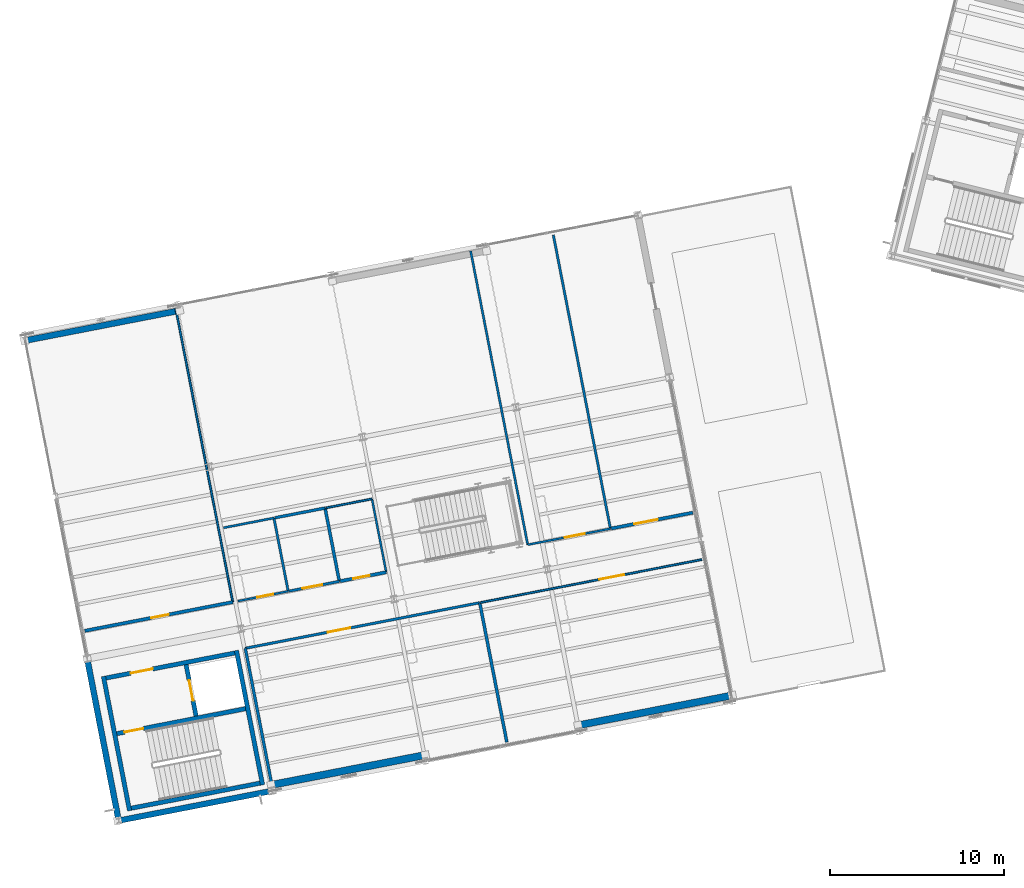
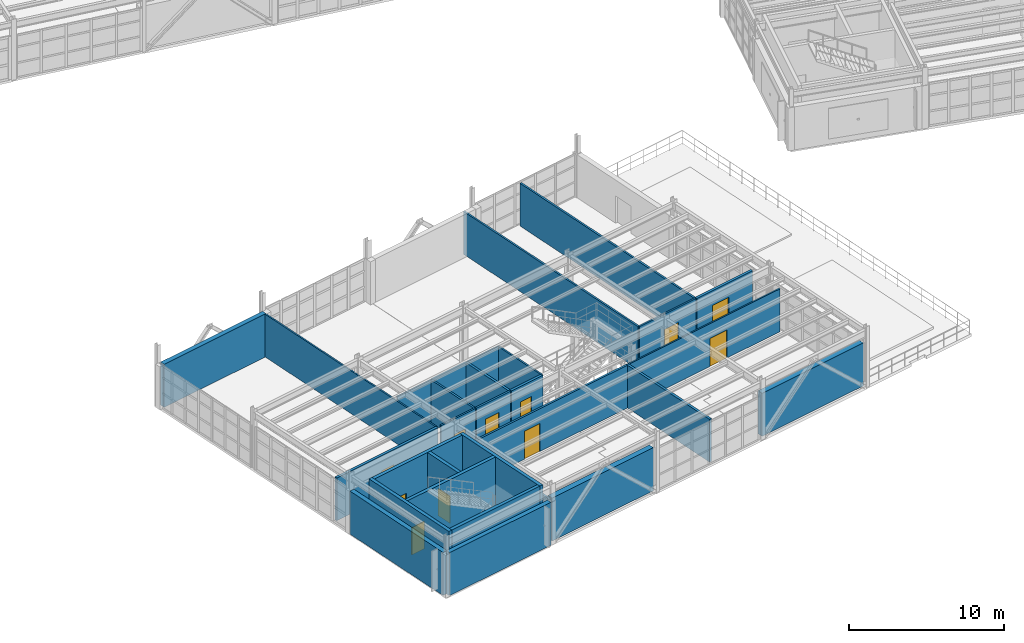
# One storey, part 90 of 109: 30 walls, 11 doors, 11 openings.
"""IFC4 building model written with IfcOpenShell, lengths in metres."""

from ifc_helpers import new_model, si_unit, direction, frame, frame_2d, origin, origin_with_axes, place, context, subcontext, project, spatial, rectangle, extrude, material, layer, layer_set, type_object, element, fill, save


model = new_model("IFC4")

# Units and contexts
model_context = context("Model", 3, precision=1e-05, world=origin(), true_north=direction((0.0, 1.0)))
body_context = subcontext(model_context, "Body", "Model", "MODEL_VIEW")
ifc_project = project(units=[si_unit("LENGTHUNIT", "METRE"), si_unit("AREAUNIT", "SQUARE_METRE"), si_unit("VOLUMEUNIT", "CUBIC_METRE"), si_unit("PLANEANGLEUNIT", "RADIAN"), si_unit("MASSUNIT", "GRAM", prefix="KILO")], contexts=[model_context])

# Site, building, storey
site_placement = place(None, origin())
site = spatial("IfcSite", under=ifc_project, at=site_placement, CompositionType="ELEMENT")
building_placement = place(site_placement, origin())
building = spatial("IfcBuilding", under=site, at=building_placement, Name="Vireo Bluff Cable Station", CompositionType="ELEMENT")
storey_placement = place(building_placement, frame((0.0, 0.0, 4.800048828125)))
storey = spatial("IfcBuildingStorey", under=building, at=storey_placement, Name="L01", CompositionType="ELEMENT", Elevation=4.800048828125)

# Walls
ifc_material_1 = material(Name="Precast concrete f'c 45 MPa", Category="concrete")
ifc_layer_1 = layer(ifc_material_1, 0.330078125, Name="Precast concrete f'c 45 MPa")
ifc_layer_set_1 = layer_set([ifc_layer_1], Name="Precast concrete f'c 45 MPa")
wall_type_1 = type_object("IfcWallType", Name="EW-PRECAST-330", PredefinedType="SOLIDWALL", material=ifc_layer_set_1)
wall_1_placement = place(storey_placement, frame((18.151123046875, 7.181640625, 0.0), z_axis=(0.0, 0.0, 1.0), x_axis=(-0.981625045934, -0.190819991601, 0.0)))
element("IfcWall", 1, at=wall_1_placement, inside=storey, type_object=wall_type_1, Name="V5 L01 south exterior wall 100", PredefinedType="SOLIDWALL", context=body_context, shape_type="SweptSolid", body=[
    extrude(rectangle(XDim=8.68359375, YDim=0.330078125, at=frame_2d((4.341796875, 0.0))), origin(), (0.0, 0.0, 1.0), 3.39990234375),
])
ifc_layer_2 = layer(ifc_material_1, 0.340087890625, Name="Precast concrete f'c 45 MPa")
ifc_layer_set_2 = layer_set([ifc_layer_2], Name="Precast concrete f'c 45 MPa")
wall_type_2 = type_object("IfcWallType", Name="EW-PRECAST-340", PredefinedType="SOLIDWALL", material=ifc_layer_set_2)
wall_2_placement = place(storey_placement, frame((9.47509765625, 5.627685546875, 0.0), z_axis=(0.0, 0.0, 1.0), x_axis=(-0.190814183384, 0.981626174987, 0.0)))
element("IfcWall", 2, at=wall_2_placement, inside=storey, type_object=wall_type_2, Name="V5 L01 west exterior wall 101", PredefinedType="SOLIDWALL", context=body_context, shape_type="SweptSolid", body=[
    extrude(rectangle(XDim=9.187744140625, YDim=0.340087890625, at=frame_2d((4.59375, 0.0))), origin(), (0.0, 0.0, 1.0), 3.39990234375),
])
ifc_layer_3 = layer(ifc_material_1, 0.35009765625, Name="Precast concrete f'c 45 MPa")
ifc_layer_set_3 = layer_set([ifc_layer_3], Name="Precast concrete f'c 45 MPa")
wall_type_3 = type_object("IfcWallType", Name="EW-PRECAST-350", PredefinedType="SOLIDWALL", material=ifc_layer_set_3)
wall_3_placement = place(storey_placement, frame((4.25341796875, 33.167236328125, 0.0), z_axis=(0.0, 0.0, 1.0), x_axis=(0.981627744316, 0.190806109934, 0.0)))
element("IfcWall", 3, at=wall_3_placement, inside=storey, type_object=wall_type_3, Name="V5 L01 north exterior wall 102", PredefinedType="SOLIDWALL", context=body_context, shape_type="SweptSolid", body=[
    extrude(rectangle(XDim=8.740478515625, YDim=0.35009765625, at=frame_2d((4.3701171875, 0.0))), origin(), (0.0, 0.0, 1.0), 3.39990234375),
])
ifc_layer_4 = layer(ifc_material_1, 0.409912109375, Name="Precast concrete f'c 45 MPa")
ifc_layer_set_4 = layer_set([ifc_layer_4], Name="Precast concrete f'c 45 MPa")
wall_type_4 = type_object("IfcWallType", Name="EW-PRECAST-410", PredefinedType="SOLIDWALL", material=ifc_layer_set_4)
wall_4_placement = place(storey_placement, frame((44.64697265625, 12.67822265625, 0.0), z_axis=(0.0, 0.0, 1.0), x_axis=(-0.981627093264, -0.19080945933, 0.0)))
element("IfcWall", 4, at=wall_4_placement, inside=storey, type_object=wall_type_4, Name="V5 L01 south exterior wall 98", PredefinedType="SOLIDWALL", context=body_context, shape_type="SweptSolid", body=[
    extrude(rectangle(XDim=8.68408203125, YDim=0.409912109375, at=frame_2d((4.342041015625, 0.0))), origin(), (0.0, 0.0, 1.0), 3.39990234375),
])
ifc_layer_5 = layer(ifc_material_1, 0.419921875, Name="Precast concrete f'c 45 MPa")
ifc_layer_set_5 = layer_set([ifc_layer_5], Name="Precast concrete f'c 45 MPa")
wall_type_5 = type_object("IfcWallType", Name="EW-PRECAST-420", PredefinedType="SOLIDWALL", material=ifc_layer_set_5)
wall_5_placement = place(storey_placement, frame((26.976318359375, 9.243408203125, 0.0), z_axis=(0.0, 0.0, 1.0), x_axis=(-0.981626217473, -0.190813964817, 0.0)))
element("IfcWall", 5, at=wall_5_placement, inside=storey, type_object=wall_type_5, Name="V5 L01 south exterior wall 99", PredefinedType="SOLIDWALL", context=body_context, shape_type="SweptSolid", body=[
    extrude(rectangle(XDim=8.682373046875, YDim=0.419921875, at=frame_2d((4.34130859375, 0.0))), origin(), (0.0, 0.0, 1.0), 3.39990234375),
])
ifc_material_2 = material(Name="Fire-Rated Gypsum Board Partition")
ifc_layer_6 = layer(ifc_material_2, 0.110107421875, Name="Fire-Rated Gypsum Board Partition")
ifc_layer_set_6 = layer_set([ifc_layer_6], Name="Fire-Rated Gypsum Board Partition")
wall_type_6 = type_object("IfcWallType", Name="PT-1HR-110", PredefinedType="PARTITIONING", material=ifc_layer_set_6)
wall_6_placement = place(storey_placement, frame((12.78173828125, 34.998046875, 0.0), z_axis=(0.0, 0.0, 1.0), x_axis=(0.190807839233, -0.981627408179, 0.0)))
element("IfcWall", 6, at=wall_6_placement, inside=storey, type_object=wall_type_6, Name="V5 L01 Cafe Servery and Pantry E partition", PredefinedType="PARTITIONING", context=body_context, shape_type="SweptSolid", body=[
    extrude(rectangle(XDim=17.22998046875, YDim=0.110107421875, at=frame_2d((8.614990234375, 0.0))), origin(), (0.0, 0.0, 1.0), 3.3798828125),
])

# Wall, opening, door
wall_7_placement = place(storey_placement, frame((30.3369140625, 18.056640625, 0.0), z_axis=(0.0, 0.0, 1.0), x_axis=(0.981628994067, 0.190799680312, 0.0)))
wall_7 = element("IfcWall", 7, at=wall_7_placement, inside=storey, type_object=wall_type_6, Name="V5 L01 Bluff Cafe N partition", PredefinedType="PARTITIONING", context=body_context, shape_type="SweptSolid", body=[
    extrude(rectangle(XDim=12.97998046875, YDim=0.110107421875, at=frame_2d((6.489990234375, 0.0))), origin(), (0.0, 0.0, 1.0), 3.3798828125),
])
opening_1_placement = place(wall_7_placement, frame((6.96630859375, 0.0, 0.0)))
opening_1 = element("IfcOpeningElement", 8, at=opening_1_placement, cuts=wall_7, Name="Opening D-0114", PredefinedType="OPENING", context=body_context, shape_type="SweptSolid", body=[
    extrude(rectangle(XDim=1.43994140625, YDim=2.219970703125, at=frame_2d((0.719970703125, 1.10986328125))), frame((0.0, 0.06494140625, 0.0), z_axis=(0.0, -1.0, 0.0), x_axis=(1.0, 0.0, 0.0)), (0.0, 0.0, 1.0), 0.130126953125),
])
ifc_material_3 = material(Name="Anodized Aluminium 6063-T6", Category="aluminium")
door_type_1 = type_object("IfcDoorType", Name="IDOOR60-1440X2220", OperationType="NOTDEFINED", PredefinedType="DOOR", material=ifc_material_3)
door_1_placement = place(opening_1_placement, origin_with_axes())
door_1 = element("IfcDoor", 9, at=door_1_placement, inside=storey, type_object=door_type_1, Name="V5 L01 Bluff Cafe door D-0114", OperationType="SINGLE_SWING_LEFT", OverallHeight=2.219970703125, OverallWidth=1.43994140625, PredefinedType="DOOR", context=body_context, shape_type="SweptSolid", body=[
    extrude(rectangle(XDim=1.43994140625, YDim=2.219970703125, at=frame_2d((0.719970703125, 1.10986328125))), frame((0.0, 0.02490234375, 0.0), z_axis=(0.0, -1.0, 0.0), x_axis=(1.0, 0.0, 0.0)), (0.0, 0.0, 1.0), 0.050048828125),
])
fill(opening_1, door_1)

# Wall
wall_8_placement = place(storey_placement, frame((21.43310546875, 23.5078125, 0.0), z_axis=(0.0, 0.0, 1.0), x_axis=(0.981630445883, 0.190792210834, 0.0)))
element("IfcWall", 10, at=wall_8_placement, inside=storey, type_object=wall_type_6, Name="V5 L01 Accessible WC L01 N partition", PredefinedType="PARTITIONING", context=body_context, shape_type="SweptSolid", body=[
    extrude(rectangle(XDim=2.699951171875, YDim=0.110107421875, at=frame_2d((1.35009765625, 0.0))), origin(), (0.0, 0.0, 1.0), 3.3798828125),
])

# Wall, opening, door
ifc_layer_7 = layer(ifc_material_2, 0.1201171875, Name="Fire-Rated Gypsum Board Partition")
ifc_layer_set_7 = layer_set([ifc_layer_7], Name="Fire-Rated Gypsum Board Partition")
wall_type_7 = type_object("IfcWallType", Name="PT-1HR-120", PredefinedType="PARTITIONING", material=ifc_layer_set_7)
wall_9_placement = place(storey_placement, frame((37.8125, 22.31103515625, 0.0), z_axis=(0.0, 0.0, 1.0), x_axis=(-0.981632938172, -0.190779387502, 0.0)))
wall_9 = element("IfcWall", 11, at=wall_9_placement, inside=storey, type_object=wall_type_7, Name="V5 L01 Mountain-Sports Exhibition Hall S partition", PredefinedType="PARTITIONING", context=body_context, shape_type="SweptSolid", body=[
    extrude(rectangle(XDim=4.85009765625, YDim=0.1201171875, at=frame_2d((2.425048828125, 0.0))), origin(), (0.0, 0.0, 1.0), 3.3798828125),
])
opening_2_placement = place(wall_9_placement, frame((1.502685546875, 0.0, 0.0)))
opening_2 = element("IfcOpeningElement", 12, at=opening_2_placement, cuts=wall_9, Name="Opening D-0111", PredefinedType="OPENING", context=body_context, shape_type="SweptSolid", body=[
    extrude(rectangle(XDim=1.179931640625, YDim=2.179931640625, at=frame_2d((0.58984375, 1.08984375))), frame((0.0, 0.070068359375, 0.0), z_axis=(0.0, -1.0, 0.0), x_axis=(1.0, 0.0, 0.0)), (0.0, 0.0, 1.0), 0.14013671875),
])
door_type_2 = type_object("IfcDoorType", Name="IDOOR60-1180X2180", OperationType="NOTDEFINED", PredefinedType="DOOR", material=ifc_material_3)
door_2_placement = place(opening_2_placement, origin_with_axes())
door_2 = element("IfcDoor", 13, at=door_2_placement, inside=storey, type_object=door_type_2, Name="V5 L01 Mountain-Sports Exhibition Hall door D-0111", OperationType="SINGLE_SWING_RIGHT", OverallHeight=2.179931640625, OverallWidth=1.179931640625, PredefinedType="DOOR", context=body_context, shape_type="SweptSolid", body=[
    extrude(rectangle(XDim=1.179931640625, YDim=2.179931640625, at=frame_2d((0.58984375, 1.08984375))), frame((0.0, 0.02490234375, 0.0), z_axis=(0.0, -1.0, 0.0), x_axis=(1.0, 0.0, 0.0)), (0.0, 0.0, 1.0), 0.050048828125),
])
fill(opening_2, door_2)

wall_10_placement = place(storey_placement, frame((19.259765625, 18.704833984375, 0.0), z_axis=(0.0, 0.0, 1.0), x_axis=(-0.981620127317, -0.190845292437, 0.0)))
wall_10 = element("IfcWall", 14, at=wall_10_placement, inside=storey, type_object=wall_type_7, Name="V5 L01 Male WC L01 S partition", PredefinedType="PARTITIONING", context=body_context, shape_type="SweptSolid", body=[
    extrude(rectangle(XDim=2.949951171875, YDim=0.1201171875, at=frame_2d((1.47509765625, 0.0))), origin(), (0.0, 0.0, 1.0), 3.3798828125),
])
opening_3_placement = place(wall_10_placement, frame((0.867919921875, 0.0, 0.0)))
opening_3 = element("IfcOpeningElement", 15, at=opening_3_placement, cuts=wall_10, Name="Opening D-0115", PredefinedType="OPENING", context=body_context, shape_type="SweptSolid", body=[
    extrude(rectangle(XDim=0.949951171875, YDim=2.14990234375, at=frame_2d((0.47509765625, 1.074951171875))), frame((0.0, 0.070068359375, 0.0), z_axis=(0.0, -1.0, 0.0), x_axis=(1.0, 0.0, 0.0)), (0.0, 0.0, 1.0), 0.14013671875),
])
door_type_3 = type_object("IfcDoorType", Name="IDOOR60-950X2150", OperationType="NOTDEFINED", PredefinedType="DOOR", material=ifc_material_3)
door_3_placement = place(opening_3_placement, origin_with_axes())
door_3 = element("IfcDoor", 16, at=door_3_placement, inside=storey, type_object=door_type_3, Name="V5 L01 Male WC L01 door D-0115", OperationType="SINGLE_SWING_RIGHT", OverallHeight=2.14990234375, OverallWidth=0.949951171875, PredefinedType="DOOR", context=body_context, shape_type="SweptSolid", body=[
    extrude(rectangle(XDim=0.949951171875, YDim=2.14990234375, at=frame_2d((0.47509765625, 1.074951171875))), frame((0.0, 0.02490234375, 0.0), z_axis=(0.0, -1.0, 0.0), x_axis=(1.0, 0.0, 0.0)), (0.0, 0.0, 1.0), 0.050048828125),
])
fill(opening_3, door_3)

# Walls
wall_11_placement = place(storey_placement, frame((24.08349609375, 24.02294921875, 0.0), z_axis=(0.0, 0.0, 1.0), x_axis=(0.190828627284, -0.981623367188, 0.0)))
element("IfcWall", 17, at=wall_11_placement, inside=storey, type_object=wall_type_7, Name="V5 L01 Accessible WC L01 E partition", PredefinedType="PARTITIONING", context=body_context, shape_type="SweptSolid", body=[
    extrude(rectangle(XDim=4.300048828125, YDim=0.1201171875, at=frame_2d((2.14990234375, 0.0))), origin(), (0.0, 0.0, 1.0), 3.3798828125),
])
ifc_layer_8 = layer(ifc_material_2, 0.1298828125, Name="Fire-Rated Gypsum Board Partition")
ifc_layer_set_8 = layer_set([ifc_layer_8], Name="Fire-Rated Gypsum Board Partition")
wall_type_8 = type_object("IfcWallType", Name="PT-1HR-130", PredefinedType="PARTITIONING", material=ifc_layer_set_8)
wall_12_placement = place(storey_placement, frame((33.051513671875, 21.3857421875, 0.0), z_axis=(0.0, 0.0, 1.0), x_axis=(-0.190807839233, 0.981627408179, 0.0)))
element("IfcWall", 18, at=wall_12_placement, inside=storey, type_object=wall_type_8, Name="V5 L01 Mountain-Sports Exhibition Hall W partition", PredefinedType="PARTITIONING", context=body_context, shape_type="SweptSolid", body=[
    extrude(rectangle(XDim=17.22998046875, YDim=0.1298828125, at=frame_2d((8.614990234375, 0.0))), origin(), (0.0, 0.0, 1.0), 3.3798828125),
])
wall_13_placement = place(storey_placement, frame((15.54345703125, 22.363037109375, 0.0), z_axis=(0.0, 0.0, 1.0), x_axis=(0.981635628441, 0.19076554452, 0.0)))
element("IfcWall", 19, at=wall_13_placement, inside=storey, type_object=wall_type_8, Name="V5 L01 Male WC L01 N partition", PredefinedType="PARTITIONING", context=body_context, shape_type="SweptSolid", body=[
    extrude(rectangle(XDim=2.949951171875, YDim=0.1298828125, at=frame_2d((1.47509765625, 0.0))), origin(), (0.0, 0.0, 1.0), 3.3798828125),
])
ifc_layer_9 = layer(ifc_material_2, 0.139892578125, Name="Fire-Rated Gypsum Board Partition")
ifc_layer_set_9 = layer_set([ifc_layer_9], Name="Fire-Rated Gypsum Board Partition")
wall_type_9 = type_object("IfcWallType", Name="PT-1HR-140", PredefinedType="PARTITIONING", material=ifc_layer_set_9)
wall_14_placement = place(storey_placement, frame((34.52490234375, 39.224609375, 0.0), z_axis=(0.0, 0.0, 1.0), x_axis=(0.190805185272, -0.981627924049, 0.0)))
element("IfcWall", 20, at=wall_14_placement, inside=storey, type_object=wall_type_9, Name="V5 L01 Mountain-Sports Exhibition Hall E partition", PredefinedType="PARTITIONING", context=body_context, shape_type="SweptSolid", body=[
    extrude(rectangle(XDim=17.230224609375, YDim=0.139892578125, at=frame_2d((8.615234375, 0.0))), origin(), (0.0, 0.0, 1.0), 3.3798828125),
])
wall_15_placement = place(storey_placement, frame((18.439208984375, 22.92578125, 0.0), z_axis=(0.0, 0.0, 1.0), x_axis=(0.190828627284, -0.981623367188, 0.0)))
element("IfcWall", 21, at=wall_15_placement, inside=storey, type_object=wall_type_9, Name="V5 L01 Male WC L01 E partition", PredefinedType="PARTITIONING", context=body_context, shape_type="SweptSolid", body=[
    extrude(rectangle(XDim=4.300048828125, YDim=0.139892578125, at=frame_2d((2.14990234375, 0.0))), origin(), (0.0, 0.0, 1.0), 3.3798828125),
])

# Wall, opening, door
ifc_layer_10 = layer(ifc_material_2, 0.14990234375, Name="Fire-Rated Gypsum Board Partition")
ifc_layer_set_10 = layer_set([ifc_layer_10], Name="Fire-Rated Gypsum Board Partition")
wall_type_10 = type_object("IfcWallType", Name="PT-1HR-150", PredefinedType="PARTITIONING", material=ifc_layer_set_10)
wall_16_placement = place(storey_placement, frame((16.79052734375, 15.42333984375, 0.0), z_axis=(0.0, 0.0, 1.0), x_axis=(0.981624906569, 0.190820708527, 0.0)))
wall_16 = element("IfcWall", 22, at=wall_16_placement, inside=storey, type_object=wall_type_10, Name="V5 L01 Visitor Orientation Hall N partition", PredefinedType="PARTITIONING", context=body_context, shape_type="SweptSolid", body=[
    extrude(rectangle(XDim=13.75, YDim=0.14990234375, at=frame_2d((6.875, 0.0))), origin(), (0.0, 0.0, 1.0), 3.3798828125),
])
opening_4_placement = place(wall_16_placement, frame((4.831298828125, 0.0, 0.0)))
opening_4 = element("IfcOpeningElement", 23, at=opening_4_placement, cuts=wall_16, Name="Opening D-0112", PredefinedType="OPENING", context=body_context, shape_type="SweptSolid", body=[
    extrude(rectangle(XDim=1.320068359375, YDim=2.219970703125, at=frame_2d((0.66015625, 1.10986328125))), frame((0.0, 0.0849609375, 0.0), z_axis=(0.0, -1.0, 0.0), x_axis=(1.0, 0.0, 0.0)), (0.0, 0.0, 1.0), 0.169921875),
])
door_type_4 = type_object("IfcDoorType", Name="IDOOR60-1320X2220", OperationType="NOTDEFINED", PredefinedType="DOOR", material=ifc_material_3)
door_4_placement = place(opening_4_placement, origin_with_axes())
door_4 = element("IfcDoor", 24, at=door_4_placement, inside=storey, type_object=door_type_4, Name="V5 L01 Visitor Orientation Hall door D-0112", OperationType="SINGLE_SWING_LEFT", OverallHeight=2.219970703125, OverallWidth=1.320068359375, PredefinedType="DOOR", context=body_context, shape_type="SweptSolid", body=[
    extrude(rectangle(XDim=1.320068359375, YDim=2.219970703125, at=frame_2d((0.66015625, 1.10986328125))), frame((0.0, 0.02490234375, 0.0), z_axis=(0.0, -1.0, 0.0), x_axis=(1.0, 0.0, 0.0)), (0.0, 0.0, 1.0), 0.050048828125),
])
fill(opening_4, door_4)

wall_17_placement = place(storey_placement, frame((22.20458984375, 19.27734375, 0.0), z_axis=(0.0, 0.0, 1.0), x_axis=(-0.981620127317, -0.190845292437, 0.0)))
wall_17 = element("IfcWall", 25, at=wall_17_placement, inside=storey, type_object=wall_type_10, Name="V5 L01 Female WC L01 S partition", PredefinedType="PARTITIONING", context=body_context, shape_type="SweptSolid", body=[
    extrude(rectangle(XDim=2.949951171875, YDim=0.14990234375, at=frame_2d((1.47509765625, 0.0))), origin(), (0.0, 0.0, 1.0), 3.3798828125),
])
opening_5_placement = place(wall_17_placement, frame((1.008056640625, 0.0, 0.0)))
opening_5 = element("IfcOpeningElement", 26, at=opening_5_placement, cuts=wall_17, Name="Opening D-0116", PredefinedType="OPENING", context=body_context, shape_type="SweptSolid", body=[
    extrude(rectangle(XDim=1.14990234375, YDim=2.14990234375, at=frame_2d((0.574951171875, 1.074951171875))), frame((0.0, 0.0849609375, 0.0), z_axis=(0.0, -1.0, 0.0), x_axis=(1.0, 0.0, 0.0)), (0.0, 0.0, 1.0), 0.169921875),
])
door_type_5 = type_object("IfcDoorType", Name="IDOOR60-1150X2150", OperationType="NOTDEFINED", PredefinedType="DOOR", material=ifc_material_3)
door_5_placement = place(opening_5_placement, origin_with_axes())
door_5 = element("IfcDoor", 27, at=door_5_placement, inside=storey, type_object=door_type_5, Name="V5 L01 Female WC L01 door D-0116", OperationType="SINGLE_SWING_LEFT", OverallHeight=2.14990234375, OverallWidth=1.14990234375, PredefinedType="DOOR", context=body_context, shape_type="SweptSolid", body=[
    extrude(rectangle(XDim=1.14990234375, YDim=2.14990234375, at=frame_2d((0.574951171875, 1.074951171875))), frame((0.0, 0.02490234375, 0.0), z_axis=(0.0, -1.0, 0.0), x_axis=(1.0, 0.0, 0.0)), (0.0, 0.0, 1.0), 0.050048828125),
])
fill(opening_5, door_5)

# Walls
ifc_layer_11 = layer(ifc_material_2, 0.1650390625, Name="Fire-Rated Gypsum Board Partition")
ifc_layer_set_11 = layer_set([ifc_layer_11], Name="Fire-Rated Gypsum Board Partition")
wall_type_11 = type_object("IfcWallType", Name="PT-1HR-165", PredefinedType="PARTITIONING", material=ifc_layer_set_11)
wall_18_placement = place(storey_placement, frame((18.351318359375, 7.393798828125, 0.0), z_axis=(0.0, 0.0, 1.0), x_axis=(-0.190809743504, 0.981627038026, 0.0)))
element("IfcWall", 28, at=wall_18_placement, inside=storey, type_object=wall_type_11, Name="V5 L01 Visitor Orientation Hall W partition", PredefinedType="PARTITIONING", context=body_context, shape_type="SweptSolid", body=[
    extrude(rectangle(XDim=8.179931640625, YDim=0.1650390625, at=frame_2d((4.08984375, 0.0))), origin(), (0.0, 0.0, 1.0), 3.3798828125),
])
wall_19_placement = place(storey_placement, frame((18.48828125, 22.935302734375, 0.0), z_axis=(0.0, 0.0, 1.0), x_axis=(0.981620127317, 0.190845292437, 0.0)))
element("IfcWall", 29, at=wall_19_placement, inside=storey, type_object=wall_type_11, Name="V5 L01 Female WC L01 N partition", PredefinedType="PARTITIONING", context=body_context, shape_type="SweptSolid", body=[
    extrude(rectangle(XDim=2.949951171875, YDim=0.1650390625, at=frame_2d((1.47509765625, 0.0))), origin(), (0.0, 0.0, 1.0), 3.3798828125),
])
ifc_layer_12 = layer(ifc_material_2, 0.175048828125, Name="Fire-Rated Gypsum Board Partition")
ifc_layer_set_12 = layer_set([ifc_layer_12], Name="Fire-Rated Gypsum Board Partition")
wall_type_12 = type_object("IfcWallType", Name="PT-1HR-175", PredefinedType="PARTITIONING", material=ifc_layer_set_12)
wall_20_placement = place(storey_placement, frame((30.287841796875, 18.047119140625, 0.0), z_axis=(0.0, 0.0, 1.0), x_axis=(0.190804153264, -0.981628124647, 0.0)))
element("IfcWall", 30, at=wall_20_placement, inside=storey, type_object=wall_type_12, Name="V5 L01 Visitor Orientation Hall E partition", PredefinedType="PARTITIONING", context=body_context, shape_type="SweptSolid", body=[
    extrude(rectangle(XDim=8.18017578125, YDim=0.175048828125, at=frame_2d((4.090087890625, 0.0))), origin(), (0.0, 0.0, 1.0), 3.3798828125),
])
wall_21_placement = place(storey_placement, frame((21.384033203125, 23.498291015625, 0.0), z_axis=(0.0, 0.0, 1.0), x_axis=(0.190828627284, -0.981623367188, 0.0)))
element("IfcWall", 31, at=wall_21_placement, inside=storey, type_object=wall_type_12, Name="V5 L01 Female WC L01 E partition", PredefinedType="PARTITIONING", context=body_context, shape_type="SweptSolid", body=[
    extrude(rectangle(XDim=4.300048828125, YDim=0.175048828125, at=frame_2d((2.14990234375, 0.0))), origin(), (0.0, 0.0, 1.0), 3.3798828125),
])

# Wall, opening, door
ifc_layer_13 = layer(ifc_material_2, 0.18994140625, Name="Fire-Rated Gypsum Board Partition")
ifc_layer_set_13 = layer_set([ifc_layer_13], Name="Fire-Rated Gypsum Board Partition")
wall_type_13 = type_object("IfcWallType", Name="PT-1HR-190", PredefinedType="PARTITIONING", material=ifc_layer_set_13)
wall_22_placement = place(storey_placement, frame((16.0693359375, 18.084716796875, 0.0), z_axis=(0.0, 0.0, 1.0), x_axis=(-0.981626513262, -0.190812443151, 0.0)))
wall_22 = element("IfcWall", 32, at=wall_22_placement, inside=storey, type_object=wall_type_13, Name="V5 L01 Cafe Servery and Pantry S partition", PredefinedType="PARTITIONING", context=body_context, shape_type="SweptSolid", body=[
    extrude(rectangle(XDim=8.679931640625, YDim=0.18994140625, at=frame_2d((4.33984375, 0.0))), origin(), (0.0, 0.0, 1.0), 3.3798828125),
])
opening_6_placement = place(wall_22_placement, frame((3.764892578125, 0.0, 0.0)))
opening_6 = element("IfcOpeningElement", 33, at=opening_6_placement, cuts=wall_22, Name="Opening D-0110", PredefinedType="OPENING", context=body_context, shape_type="SweptSolid", body=[
    extrude(rectangle(XDim=1.02001953125, YDim=2.179931640625, at=frame_2d((0.510009765625, 1.08984375))), frame((0.0, 0.10498046875, 0.0), z_axis=(0.0, -1.0, 0.0), x_axis=(1.0, 0.0, 0.0)), (0.0, 0.0, 1.0), 0.2099609375),
])
door_type_6 = type_object("IfcDoorType", Name="IDOOR60-1020X2180", OperationType="NOTDEFINED", PredefinedType="DOOR", material=ifc_material_3)
door_6_placement = place(opening_6_placement, origin_with_axes())
door_6 = element("IfcDoor", 34, at=door_6_placement, inside=storey, type_object=door_type_6, Name="V5 L01 Cafe Servery and Pantry door D-0110", OperationType="SINGLE_SWING_LEFT", OverallHeight=2.179931640625, OverallWidth=1.02001953125, PredefinedType="DOOR", context=body_context, shape_type="SweptSolid", body=[
    extrude(rectangle(XDim=1.02001953125, YDim=2.179931640625, at=frame_2d((0.510009765625, 1.08984375))), frame((0.0, 0.02490234375, 0.0), z_axis=(0.0, -1.0, 0.0), x_axis=(1.0, 0.0, 0.0)), (0.0, 0.0, 1.0), 0.050048828125),
])
fill(opening_6, door_6)

wall_23_placement = place(storey_placement, frame((42.5537109375, 23.232666015625, 0.0), z_axis=(0.0, 0.0, 1.0), x_axis=(-0.98163478978, -0.190769860025, 0.0)))
wall_23 = element("IfcWall", 35, at=wall_23_placement, inside=storey, type_object=wall_type_13, Name="V5 L01 Retail Bookshop S partition", PredefinedType="PARTITIONING", context=body_context, shape_type="SweptSolid", body=[
    extrude(rectangle(XDim=4.780029296875, YDim=0.18994140625, at=frame_2d((2.39013671875, 0.0))), origin(), (0.0, 0.0, 1.0), 3.3798828125),
])
opening_7_placement = place(wall_23_placement, frame((2.04931640625, 0.0, 0.0)))
opening_7 = element("IfcOpeningElement", 36, at=opening_7_placement, cuts=wall_23, Name="Opening D-0113", PredefinedType="OPENING", context=body_context, shape_type="SweptSolid", body=[
    extrude(rectangle(XDim=1.3798828125, YDim=2.219970703125, at=frame_2d((0.68994140625, 1.10986328125))), frame((0.0, 0.10498046875, 0.0), z_axis=(0.0, -1.0, 0.0), x_axis=(1.0, 0.0, 0.0)), (0.0, 0.0, 1.0), 0.2099609375),
])
door_type_7 = type_object("IfcDoorType", Name="IDOOR60-1380X2220", OperationType="NOTDEFINED", PredefinedType="DOOR", material=ifc_material_3)
door_7_placement = place(opening_7_placement, origin_with_axes())
door_7 = element("IfcDoor", 37, at=door_7_placement, inside=storey, type_object=door_type_7, Name="V5 L01 Retail Bookshop door D-0113", OperationType="SINGLE_SWING_RIGHT", OverallHeight=2.219970703125, OverallWidth=1.3798828125, PredefinedType="DOOR", context=body_context, shape_type="SweptSolid", body=[
    extrude(rectangle(XDim=1.3798828125, YDim=2.219970703125, at=frame_2d((0.68994140625, 1.10986328125))), frame((0.0, 0.02490234375, 0.0), z_axis=(0.0, -1.0, 0.0), x_axis=(1.0, 0.0, 0.0)), (0.0, 0.0, 1.0), 0.050048828125),
])
fill(opening_7, door_7)

wall_24_placement = place(storey_placement, frame((24.904052734375, 19.802001953125, 0.0), z_axis=(0.0, 0.0, 1.0), x_axis=(-0.981630445883, -0.190792210834, 0.0)))
wall_24 = element("IfcWall", 38, at=wall_24_placement, inside=storey, type_object=wall_type_13, Name="V5 L01 Accessible WC L01 S partition", PredefinedType="PARTITIONING", context=body_context, shape_type="SweptSolid", body=[
    extrude(rectangle(XDim=2.699951171875, YDim=0.18994140625, at=frame_2d((1.35009765625, 0.0))), origin(), (0.0, 0.0, 1.0), 3.3798828125),
])
opening_8_placement = place(wall_24_placement, frame((0.97705078125, 0.0, 0.0)))
opening_8 = element("IfcOpeningElement", 39, at=opening_8_placement, cuts=wall_24, Name="Opening D-0117", PredefinedType="OPENING", context=body_context, shape_type="SweptSolid", body=[
    extrude(rectangle(XDim=0.949951171875, YDim=2.14990234375, at=frame_2d((0.47509765625, 1.074951171875))), frame((0.0, 0.10498046875, 0.0), z_axis=(0.0, -1.0, 0.0), x_axis=(1.0, 0.0, 0.0)), (0.0, 0.0, 1.0), 0.2099609375),
])
door_8_placement = place(opening_8_placement, origin_with_axes())
door_8 = element("IfcDoor", 40, at=door_8_placement, inside=storey, type_object=door_type_3, Name="V5 L01 Accessible WC L01 door D-0117", OperationType="SINGLE_SWING_RIGHT", OverallHeight=2.14990234375, OverallWidth=0.949951171875, PredefinedType="DOOR", context=body_context, shape_type="SweptSolid", body=[
    extrude(rectangle(XDim=0.949951171875, YDim=2.14990234375, at=frame_2d((0.47509765625, 1.074951171875))), frame((0.0, 0.02490234375, 0.0), z_axis=(0.0, -1.0, 0.0), x_axis=(1.0, 0.0, 0.0)), (0.0, 0.0, 1.0), 0.050048828125),
])
fill(opening_8, door_8)

# Walls
ifc_material_4 = material(Name="Concrete f'c 40 MPa", Category="concrete")
ifc_layer_14 = layer(ifc_material_4, 0.25, Name="Concrete f'c 40 MPa")
ifc_layer_set_14 = layer_set([ifc_layer_14], Name="Concrete f'c 40 MPa")
wall_type_14 = type_object("IfcWallType", Name="SW-CORE-250", PredefinedType="SHEAR", material=ifc_layer_set_14)
for number, where, z_axis, x_axis, name in (
    (41, (10.127685546875, 6.0703125, 0.0), (0.0, 0.0, 1.0), (-0.190795899131, 0.981629729009, 0.0), "CORE-5 L01 core W shear wall"),
    (42, (17.784423828125, 7.55859375, 0.0), (0.0, 0.0, 1.0), (-0.190825735014, 0.981623929444, 0.0), "CORE-5 L01 core E shear wall"),
):
    element("IfcWall", number, at=place(storey_placement, frame(where, z_axis=z_axis, x_axis=x_axis)), inside=storey, type_object=wall_type_14, Name=name, PredefinedType="SHEAR", context=body_context, shape_type="SweptSolid", body=[
        extrude(rectangle(XDim=7.884765625, YDim=0.25, at=frame_2d((3.9423828125, 0.0))), origin(), (0.0, 0.0, 1.0), 4.5400390625),
    ])
wall_25_placement = place(storey_placement, frame((10.2265625, 6.216796875, 0.0), z_axis=(0.0, 0.0, 1.0), x_axis=(0.981625990538, 0.190815132265, 0.0)))
element("IfcWall", 43, at=wall_25_placement, inside=storey, type_object=wall_type_14, Name="CORE-5 L01 stair shaft south shear wall", PredefinedType="SHEAR", context=body_context, shape_type="SweptSolid", body=[
    extrude(rectangle(XDim=7.550048828125, YDim=0.25, at=frame_2d((3.77490234375, 0.0))), origin(), (0.0, 0.0, 1.0), 4.5400390625),
])

# Wall, opening, door
wall_26_placement = place(storey_placement, frame((16.803955078125, 11.947021484375, 0.0), z_axis=(0.0, 0.0, 1.0), x_axis=(-0.981630869871, -0.190790029393, 0.0)))
wall_26 = element("IfcWall", 44, at=wall_26_placement, inside=storey, type_object=wall_type_14, Name="CORE-5 L01 stair shaft north shear wall", PredefinedType="SHEAR", context=body_context, shape_type="SweptSolid", body=[
    extrude(rectangle(XDim=7.5498046875, YDim=0.25, at=frame_2d((3.77490234375, 0.0))), origin(), (0.0, 0.0, 1.0), 4.5400390625),
])
opening_9_placement = place(wall_26_placement, frame((6.0, 0.0, 0.0)))
opening_9 = element("IfcOpeningElement", 45, at=opening_9_placement, cuts=wall_26, Name="Opening SD-035", PredefinedType="OPENING", context=body_context, shape_type="SweptSolid", body=[
    extrude(rectangle(XDim=1.10009765625, YDim=2.14990234375, at=frame_2d((0.550048828125, 1.074951171875))), frame((0.0, 0.135009765625, 0.0), z_axis=(0.0, -1.0, 0.0), x_axis=(1.0, 0.0, 0.0)), (0.0, 0.0, 1.0), 0.27001953125),
])
ifc_material_5 = material(Name="Stainless Steel 316", Category="steel")
door_type_8 = type_object("IfcDoorType", Name="IDOOR90-1100X2150", OperationType="NOTDEFINED", PredefinedType="DOOR", material=ifc_material_5)
door_9_placement = place(opening_9_placement, origin_with_axes())
door_9 = element("IfcDoor", 46, at=door_9_placement, inside=storey, type_object=door_type_8, Name="CORE-5 L01 stair fire door SD-035", OperationType="SINGLE_SWING_RIGHT", OverallHeight=2.14990234375, OverallWidth=1.10009765625, PredefinedType="DOOR", context=body_context, shape_type="SweptSolid", body=[
    extrude(rectangle(XDim=1.10009765625, YDim=2.14990234375, at=frame_2d((0.550048828125, 1.074951171875))), frame((0.0, 0.02490234375, 0.0), z_axis=(0.0, -1.0, 0.0), x_axis=(1.0, 0.0, 0.0)), (0.0, 0.0, 1.0), 0.050048828125),
])
fill(opening_9, door_9)

wall_27_placement = place(storey_placement, frame((16.18115234375, 15.152099609375, 0.0), z_axis=(0.0, 0.0, 1.0), x_axis=(-0.981625990538, -0.190815132265, 0.0)))
wall_27 = element("IfcWall", 47, at=wall_27_placement, inside=storey, type_object=wall_type_14, Name="CORE-5 L01 core north shear wall", PredefinedType="SHEAR", context=body_context, shape_type="SweptSolid", body=[
    extrude(rectangle(XDim=7.550048828125, YDim=0.25, at=frame_2d((3.77490234375, 0.0))), origin(), (0.0, 0.0, 1.0), 4.5400390625),
])
opening_10_placement = place(wall_27_placement, frame((4.800048828125, 0.0, 0.0)))
opening_10 = element("IfcOpeningElement", 48, at=opening_10_placement, cuts=wall_27, Name="Opening FD-036", PredefinedType="OPENING", context=body_context, shape_type="SweptSolid", body=[
    extrude(rectangle(XDim=1.300048828125, YDim=2.14990234375, at=frame_2d((0.64990234375, 1.074951171875))), frame((0.0, 0.135009765625, 0.0), z_axis=(0.0, -1.0, 0.0), x_axis=(1.0, 0.0, 0.0)), (0.0, 0.0, 1.0), 0.27001953125),
])
door_type_9 = type_object("IfcDoorType", Name="IDOOR90-1300X2150", OperationType="NOTDEFINED", PredefinedType="DOOR", material=ifc_material_5)
door_10_placement = place(opening_10_placement, origin_with_axes())
door_10 = element("IfcDoor", 49, at=door_10_placement, inside=storey, type_object=door_type_9, Name="CORE-5 L01 firefighting lobby door FD-036", OperationType="SINGLE_SWING_LEFT", OverallHeight=2.14990234375, OverallWidth=1.300048828125, PredefinedType="DOOR", context=body_context, shape_type="SweptSolid", body=[
    extrude(rectangle(XDim=1.300048828125, YDim=2.14990234375, at=frame_2d((0.64990234375, 1.074951171875))), frame((0.0, 0.02490234375, 0.0), z_axis=(0.0, -1.0, 0.0), x_axis=(1.0, 0.0, 0.0)), (0.0, 0.0, 1.0), 0.050048828125),
])
fill(opening_10, door_10)

wall_28_placement = place(storey_placement, frame((13.9580078125, 11.521240234375, 0.0), z_axis=(0.0, 0.0, 1.0), x_axis=(-0.190772129474, 0.981634348735, 0.0)))
wall_28 = element("IfcWall", 50, at=wall_28_placement, inside=storey, type_object=wall_type_14, Name="CORE-5 L01 lift shaft front wall", PredefinedType="SHEAR", context=body_context, shape_type="SweptSolid", body=[
    extrude(rectangle(XDim=3.01513671875, YDim=0.25, at=frame_2d((1.507568359375, 0.0))), origin(), (0.0, 0.0, 1.0), 4.5400390625),
])
opening_11_placement = place(wall_28_placement, frame((0.907470703125, 0.0, 0.0)))
opening_11 = element("IfcOpeningElement", 51, at=opening_11_placement, cuts=wall_28, Name="Opening LD-018", PredefinedType="OPENING", context=body_context, shape_type="SweptSolid", body=[
    extrude(rectangle(XDim=1.199951171875, YDim=2.14990234375, at=frame_2d((0.60009765625, 1.074951171875))), frame((0.0, 0.135009765625, 0.0), z_axis=(0.0, -1.0, 0.0), x_axis=(1.0, 0.0, 0.0)), (0.0, 0.0, 1.0), 0.27001953125),
])
door_type_10 = type_object("IfcDoorType", Name="LIFTDOOR-1200X2150", OperationType="DOUBLE_DOOR_SLIDING", PredefinedType="DOOR", material=ifc_material_5)
door_11_placement = place(opening_11_placement, origin_with_axes())
door_11 = element("IfcDoor", 52, at=door_11_placement, inside=storey, type_object=door_type_10, Name="CORE-5 L01 lift sliding landing door LD-018", OperationType="DOUBLE_DOOR_SLIDING", OverallHeight=2.14990234375, OverallWidth=1.199951171875, PredefinedType="DOOR", context=body_context, shape_type="SweptSolid", body=[
    extrude(rectangle(XDim=1.199951171875, YDim=2.14990234375, at=frame_2d((0.60009765625, 1.074951171875))), frame((0.0, 0.02490234375, 0.0), z_axis=(0.0, -1.0, 0.0), x_axis=(1.0, 0.0, 0.0)), (0.0, 0.0, 1.0), 0.050048828125),
])
fill(opening_11, door_11)

save(model, "model.ifc")
